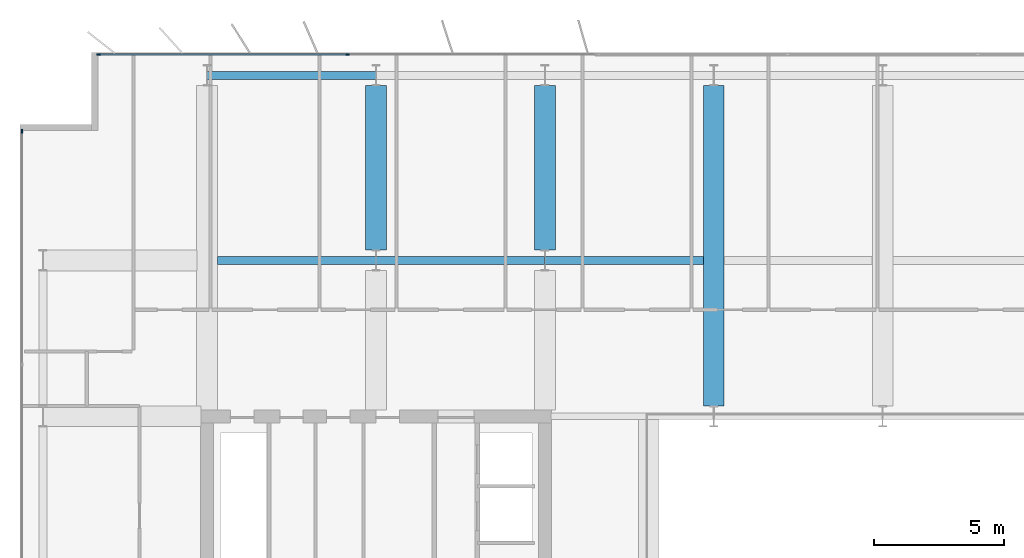
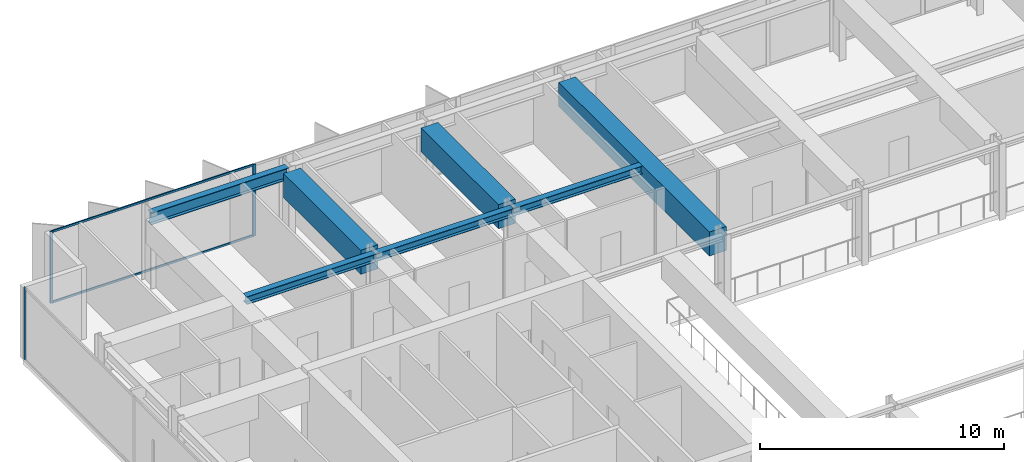
# One storey, part 10 of 24: 7 beams, 5 members, 2 elements without a shape of their own.
"""IFC4 building model written with IfcOpenShell, lengths in metres."""

from ifc_helpers import new_model, si_unit, direction, frame, origin, origin_2d, place, context, subcontext, project, spatial, rectangle, i_section, extrude, material, layer, layer_set, material_profile, profile_set, type_object, element, aggregate, save


model = new_model("IFC4")

# Units and contexts
model_context = context("Model", 3, precision=1e-05, world=origin(), true_north=direction((0.0, 1.0)))
body_context = subcontext(model_context, "Body", "Model", "MODEL_VIEW")
ifc_project = project(units=[si_unit("LENGTHUNIT", "METRE"), si_unit("AREAUNIT", "SQUARE_METRE"), si_unit("VOLUMEUNIT", "CUBIC_METRE"), si_unit("PLANEANGLEUNIT", "RADIAN"), si_unit("MASSUNIT", "GRAM", prefix="KILO")], contexts=[model_context])

# Site, building, storey
site_placement = place(None, origin())
site = spatial("IfcSite", under=ifc_project, at=site_placement, CompositionType="ELEMENT")
building_placement = place(site_placement, origin())
building = spatial("IfcBuilding", under=site, at=building_placement, Name="Putna Gate Headquarters", CompositionType="ELEMENT")
storey_placement = place(building_placement, frame((0.0, 0.0, 251.800048828125)))
storey = spatial("IfcBuildingStorey", under=building, at=storey_placement, Name="L63", CompositionType="ELEMENT", Elevation=251.800048828125)

# Beams
ifc_material_1 = material(Name="Steel S355J2", Category="steel")
ifc_material_profile_1 = material_profile(ifc_material_1, i_section(OverallWidth=0.300048828125, OverallDepth=0.389892578125, WebThickness=0.010986328125, FlangeThickness=0.01904296875, at=origin_2d()), Name="Steel S355J2")
ifc_profile_set_1 = profile_set([ifc_material_profile_1], Name="Steel S355J2")
beam_type_1 = type_object("IfcBeamType", Name="BM-SEC-Z5-HEA400", PredefinedType="BEAM", material=ifc_profile_set_1)
beam_1_placement = place(storey_placement, frame((13.404052734375, 39.0, 3.39306640625), z_axis=(1.0, 0.0, 0.0), x_axis=(0.0, 1.0, 0.0)))
element("IfcBeam", 1, at=beam_1_placement, inside=storey, type_object=beam_type_1, Name="L63 North Secondary Beam 1", PredefinedType="BEAM", context=body_context, shape_type="SweptSolid", body=[
    extrude(i_section(OverallWidth=0.300048828125, OverallDepth=0.389892578125, WebThickness=0.010986328125, FlangeThickness=0.01904296875, at=origin_2d()), origin(), (0.0, 0.0, 1.0), 6.08984375),
])
beam_2_placement = place(storey_placement, frame((19.506103515625, 39.0, 3.39306640625), z_axis=(1.0, 0.0, 0.0), x_axis=(0.0, 1.0, 0.0)))
element("IfcBeam", 2, at=beam_2_placement, inside=storey, type_object=beam_type_1, Name="L63 North Secondary Beam 2", PredefinedType="BEAM", context=body_context, shape_type="SweptSolid", body=[
    extrude(i_section(OverallWidth=0.300048828125, OverallDepth=0.389892578125, WebThickness=0.010986328125, FlangeThickness=0.01904296875, at=origin_2d()), origin(), (0.0, 0.0, 1.0), 6.48779296875),
])
beam_3_placement = place(storey_placement, frame((26.006103515625, 39.0, 3.39306640625), z_axis=(1.0, 0.0, 0.0), x_axis=(0.0, 1.0, 0.0)))
element("IfcBeam", 3, at=beam_3_placement, inside=storey, type_object=beam_type_1, Name="L63 North Secondary Beam 3", PredefinedType="BEAM", context=body_context, shape_type="SweptSolid", body=[
    extrude(i_section(OverallWidth=0.300048828125, OverallDepth=0.389892578125, WebThickness=0.010986328125, FlangeThickness=0.01904296875, at=origin_2d()), origin(), (0.0, 0.0, 1.0), 6.08984375),
])
ifc_material_profile_2 = material_profile(ifc_material_1, i_section(OverallWidth=0.300048828125, OverallDepth=0.590087890625, WebThickness=0.012939453125, FlangeThickness=0.02490234375, at=origin_2d()), Name="Steel S355J2")
ifc_profile_set_2 = profile_set([ifc_material_profile_2], Name="Steel S355J2")
beam_type_2 = type_object("IfcBeamType", Name="BM-SPAN-Z4-HEA600", PredefinedType="SPANDREL", material=ifc_profile_set_2)
beam_4_placement = place(storey_placement, frame((13.006103515625, 46.1201171875, 3.29296875), z_axis=(1.0, 0.0, 0.0), x_axis=(0.0, 1.0, 0.0)))
element("IfcBeam", 4, at=beam_4_placement, inside=storey, type_object=beam_type_2, Name="L63 N Perimeter Spandrel 1", PredefinedType="SPANDREL", context=body_context, shape_type="SweptSolid", body=[
    extrude(i_section(OverallWidth=0.300048828125, OverallDepth=0.590087890625, WebThickness=0.012939453125, FlangeThickness=0.02490234375, at=origin_2d()), origin(), (0.0, 0.0, 1.0), 6.48779296875),
])
ifc_material_2 = material(Name="Concrete C50/60", Category="concrete")
ifc_material_profile_3 = material_profile(ifc_material_2, rectangle(XDim=0.800048828125, YDim=1.199951171875, at=origin_2d()), Name="Concrete C50/60")
ifc_profile_set_3 = profile_set([ifc_material_profile_3], Name="Concrete C50/60")
beam_type_3 = type_object("IfcBeamType", Name="BM-TG-RC1200", PredefinedType="USERDEFINED", material=ifc_profile_set_3)
for number, where, z_axis, x_axis, name in (
    (5, (19.5, 39.39501953125, 2.988037109375), (0.0, 1.0, 0.0), (-1.0, 0.0, 0.0), "L63 North Primary Girder X19-2"),
    (6, (26.0, 39.39501953125, 2.988037109375), (0.0, 1.0, 0.0), (-1.0, 0.0, 0.0), "L63 North Primary Girder X26-2"),
):
    element("IfcBeam", number, at=place(storey_placement, frame(where, z_axis=z_axis, x_axis=x_axis)), inside=storey, type_object=beam_type_3, Name=name, ObjectType="GIRDER", PredefinedType="USERDEFINED", context=body_context, shape_type="SweptSolid", body=[
        extrude(rectangle(XDim=0.800048828125, YDim=1.199951171875, at=origin_2d()), origin(), (0.0, 0.0, 1.0), 6.330078125),
    ])
beam_5_placement = place(storey_placement, frame((32.5, 33.39501953125, 2.988037109375), z_axis=(0.0, 1.0, 0.0), x_axis=(-1.0, 0.0, 0.0)))
element("IfcBeam", 7, at=beam_5_placement, inside=storey, type_object=beam_type_3, Name="L63 North Primary Girder X32", ObjectType="GIRDER", PredefinedType="USERDEFINED", context=body_context, shape_type="SweptSolid", body=[
    extrude(rectangle(XDim=0.800048828125, YDim=1.199951171875, at=origin_2d()), origin(), (0.0, 0.0, 1.0), 12.330078125),
])

# Curtain wall, members
ifc_material_3 = material(Name="Anodised bronze aluminium curtain wall", Category="aluminium")
ifc_layer = layer(ifc_material_3, 0.139892578125)
ifc_layer_set = layer_set([ifc_layer], Name="Anodised bronze aluminium curtain wall")
curtain_wall_type = type_object("IfcCurtainWallType", Name="CW-SYS-Z4", PredefinedType="USERDEFINED", material=ifc_layer_set)
curtain_wall_1_placement = place(storey_placement, origin())
curtain_wall_1 = element("IfcCurtainWall", 8, at=curtain_wall_1_placement, inside=storey, type_object=curtain_wall_type, Name="L63 North West Curtain Wall", ObjectType="STICK CURTAIN WALL", PredefinedType="USERDEFINED")
ifc_material_4 = material(Name="Anodised bronze aluminium EN AW-6060", Category="aluminium")
ifc_material_profile_4 = material_profile(ifc_material_4, rectangle(XDim=0.06005859375, YDim=0.139892578125, at=origin_2d()), Name="Anodised bronze aluminium EN AW-6060")
ifc_profile_set_4 = profile_set([ifc_material_profile_4], Name="Anodised bronze aluminium EN AW-6060")
member_type_1 = type_object("IfcMemberType", Name="MULL-CWM-4", PredefinedType="MULLION", material=ifc_profile_set_4)
member_1_placement = place(storey_placement, frame((8.830078125, 46.919921875, 0.0), z_axis=(0.0, 0.0, 1.0), x_axis=(0.0, 1.0, 0.0)))
member_1 = element("IfcMember", 9, at=member_1_placement, type_object=member_type_1, Name="CWS-4 mullion 1", PredefinedType="MULLION", context=body_context, shape_type="SweptSolid", body=[
    extrude(rectangle(XDim=0.06005859375, YDim=0.139892578125, at=origin_2d()), origin(), (0.0, 0.0, 1.0), 3.587890625),
])
member_2_placement = place(storey_placement, frame((18.39990234375, 46.919921875, 0.0), z_axis=(0.0, 0.0, 1.0), x_axis=(0.0, 1.0, 0.0)))
member_2 = element("IfcMember", 10, at=member_2_placement, type_object=member_type_1, Name="CWS-4 mullion 2", PredefinedType="MULLION", context=body_context, shape_type="SweptSolid", body=[
    extrude(rectangle(XDim=0.06005859375, YDim=0.139892578125, at=origin_2d()), origin(), (0.0, 0.0, 1.0), 3.587890625),
])

# Curtain wall, member
curtain_wall_2_placement = place(storey_placement, origin())
curtain_wall_2 = element("IfcCurtainWall", 11, at=curtain_wall_2_placement, inside=storey, type_object=curtain_wall_type, Name="L63 West Curtain Wall", ObjectType="STICK CURTAIN WALL", PredefinedType="USERDEFINED")
member_3_placement = place(storey_placement, frame((5.8798828125, 43.969970703125, 0.0), z_axis=(0.0, 0.0, 1.0), x_axis=(-1.0, 0.0, 0.0)))
member_3 = element("IfcMember", 12, at=member_3_placement, type_object=member_type_1, Name="CWS-4 mullion 5", PredefinedType="MULLION", context=body_context, shape_type="SweptSolid", body=[
    extrude(rectangle(XDim=0.06005859375, YDim=0.139892578125, at=origin_2d()), origin(), (0.0, 0.0, 1.0), 3.587890625),
])
aggregate(curtain_wall_2, [member_3])

# Member
ifc_material_profile_5 = material_profile(ifc_material_4, rectangle(XDim=0.06005859375, YDim=0.10009765625, at=origin_2d()), Name="Anodised bronze aluminium EN AW-6060")
ifc_profile_set_5 = profile_set([ifc_material_profile_5], Name="Anodised bronze aluminium EN AW-6060")
member_type_2 = type_object("IfcMemberType", Name="TRAN-CWT-4", PredefinedType="USERDEFINED", material=ifc_profile_set_5)
member_4_placement = place(storey_placement, frame((8.860107421875, 46.919921875, 0.030029296875), z_axis=(1.0, 0.0, 0.0), x_axis=(0.0, 1.0, 0.0)))
member_4 = element("IfcMember", 13, at=member_4_placement, type_object=member_type_2, Name="CWS-4 transom 1.1", ObjectType="TRANSOM", PredefinedType="USERDEFINED", context=body_context, shape_type="SweptSolid", body=[
    extrude(rectangle(XDim=0.06005859375, YDim=0.10009765625, at=origin_2d()), origin(), (0.0, 0.0, 1.0), 9.510009765625),
])

member_5_placement = place(storey_placement, frame((8.860107421875, 46.919921875, 3.557861328125), z_axis=(1.0, 0.0, 0.0), x_axis=(0.0, 1.0, 0.0)))
member_5 = element("IfcMember", 14, at=member_5_placement, type_object=member_type_2, Name="CWS-4 transom 1.2", ObjectType="TRANSOM", PredefinedType="USERDEFINED", context=body_context, shape_type="SweptSolid", body=[
    extrude(rectangle(XDim=0.06005859375, YDim=0.10009765625, at=origin_2d()), origin(), (0.0, 0.0, 1.0), 9.510009765625),
])

aggregate(curtain_wall_1, [member_1, member_2, member_4, member_5])

save(model, "model.ifc")
